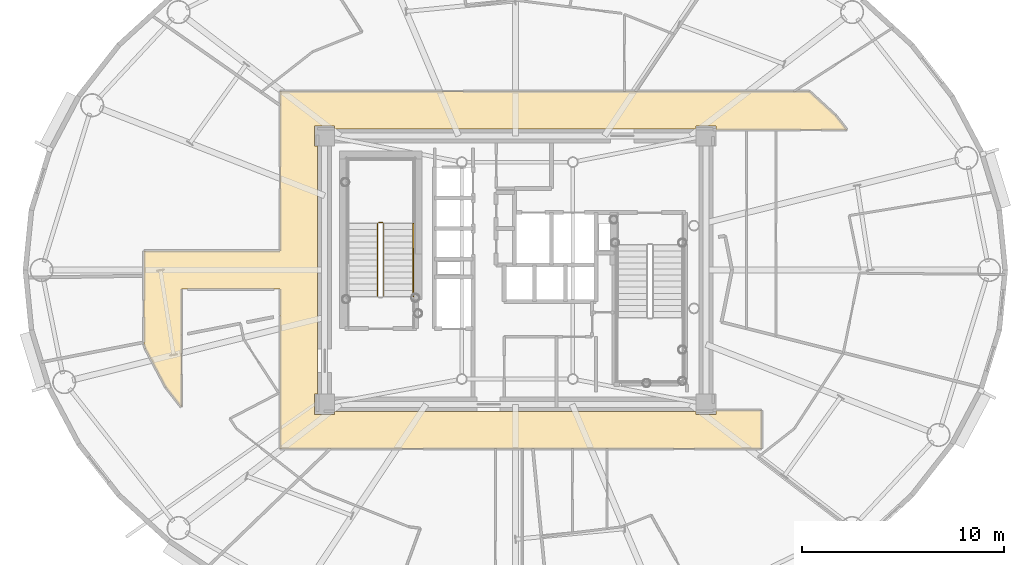
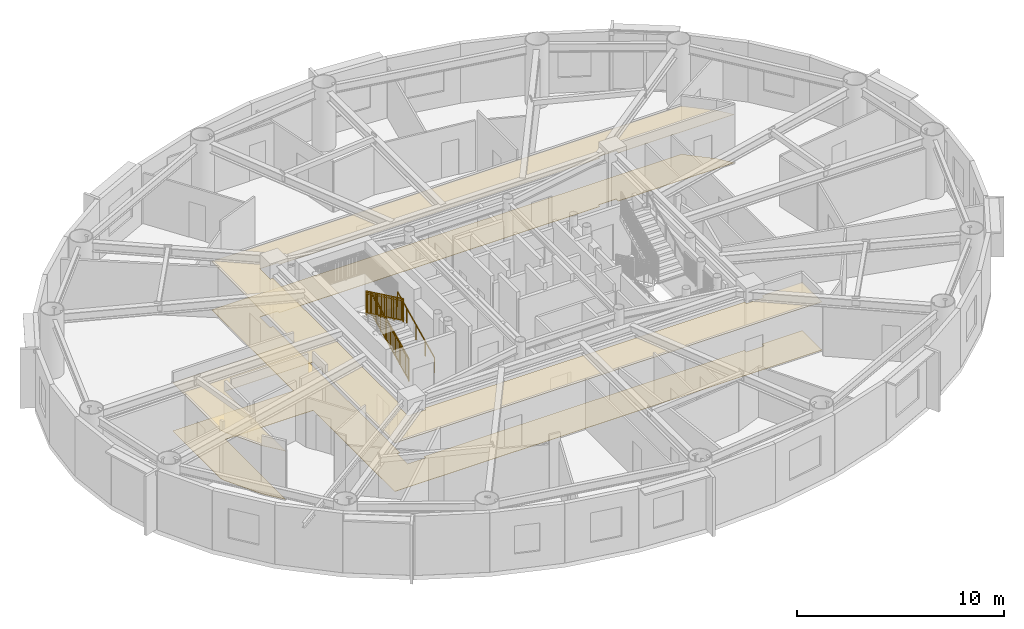
# One storey, part 17 of 21: 4 railings, 2 coverings.
"""IFC4 building model written with IfcOpenShell, lengths in metres."""

import ifcopenshell
import ifcopenshell.guid

model = None  # the IFC model being written
_history = None  # IfcOwnerHistory: only IFC2X3 demands one
_inside = {}  # id of a spatial element -> (the spatial element, [elements in it])
_under = {}  # id of a project, library or spatial element -> (it, [spatial elements below it])
_declared = {}  # id of a project -> (the project, [libraries it declares])
_typed = {}  # id of a type object -> (the type object, [elements of that type])
_made_of = {}  # id of a material, layer set ... -> (it, [elements and type objects made of it])


def new_model(schema):
    """Start an empty IFC model of exactly this schema.

    Asked for "IFC4X3", IfcOpenShell would pick the latest addendum, in which some entities
    have other attributes; the version numbers below select the first issue.
    IFC2X3 requires an IfcOwnerHistory on every rooted entity: one is made here for all.
    """
    global model, _history
    if schema == "IFC4X3":
        model = ifcopenshell.file(schema_version=(4, 3, 0, 0))
    else:
        model = ifcopenshell.file(schema=schema)
    _inside.clear()
    _under.clear()
    _declared.clear()
    _typed.clear()
    _made_of.clear()
    _history = None
    if model.schema == "IFC2X3":
        org = make("IfcOrganization", Name="unknown")
        user = make(
            "IfcPersonAndOrganization",
            ThePerson=make("IfcPerson", FamilyName="unknown"),
            TheOrganization=org,
        )
        app = make(
            "IfcApplication",
            ApplicationDeveloper=org,
            Version="unknown",
            ApplicationFullName="unknown",
            ApplicationIdentifier="unknown",
        )
        _history = make(
            "IfcOwnerHistory",
            OwningUser=user,
            OwningApplication=app,
            ChangeAction="ADDED",
            CreationDate=0,
        )
    return model


def make(cls, **values):
    """One entity of the class cls with the attributes given. An attribute that is None is left unset."""
    return model.create_entity(
        cls, **{name: value for name, value in values.items() if value is not None}
    )


def rooted(cls, **values):
    """An entity with a GlobalId (a new one), such as an element, a storey or a relation."""
    return make(cls, GlobalId=ifcopenshell.guid.new(), OwnerHistory=_history, **values)


def si_unit(unit_type, name, prefix=None):
    """IfcSIUnit, for example si_unit("LENGTHUNIT", "METRE", prefix="MILLI")."""
    return make("IfcSIUnit", UnitType=unit_type, Prefix=prefix, Name=name)


def assignment(units):
    """IfcUnitAssignment: the units of a project."""
    return None if units is None else make("IfcUnitAssignment", Units=units)


def point(xyz):
    """IfcCartesianPoint."""
    return None if xyz is None else make("IfcCartesianPoint", Coordinates=xyz)


def direction(xyz):
    """IfcDirection."""
    return None if xyz is None else make("IfcDirection", DirectionRatios=xyz)


def frame(location, z_axis=None, x_axis=None):
    """IfcAxis2Placement3D, a coordinate frame: its origin and axes. An axis left out is left unset."""
    return make(
        "IfcAxis2Placement3D",
        Location=point(location),
        Axis=direction(z_axis),
        RefDirection=direction(x_axis),
    )


def frame_2d(location, x_axis=None):
    """IfcAxis2Placement2D, a coordinate frame in the plane: its origin and x axis."""
    return make(
        "IfcAxis2Placement2D", Location=point(location), RefDirection=direction(x_axis)
    )


def origin():
    """The frame at (0, 0, 0) with its axes left unset."""
    return frame((0.0, 0.0, 0.0))


def origin_2d():
    """The frame at (0, 0) in the plane with its x axis left unset."""
    return frame_2d((0.0, 0.0))


def place(relative_to, where):
    """IfcLocalPlacement: puts the frame where relative to a parent placement (None: the world)."""
    return make(
        "IfcLocalPlacement", PlacementRelTo=relative_to, RelativePlacement=where
    )


def context(
    kind, dimensions, precision=None, world=None, true_north=None, identifier=None
):
    """IfcGeometricRepresentationContext, for example the 3D "Model" context."""
    return make(
        "IfcGeometricRepresentationContext",
        ContextIdentifier=identifier,
        ContextType=kind,
        CoordinateSpaceDimension=dimensions,
        Precision=precision,
        WorldCoordinateSystem=world,
        TrueNorth=true_north,
    )


def subcontext(parent, identifier, kind, view, scale=None):
    """IfcGeometricRepresentationSubContext, for example "Body" below "Model"."""
    return make(
        "IfcGeometricRepresentationSubContext",
        ContextIdentifier=identifier,
        ContextType=kind,
        ParentContext=parent,
        TargetScale=scale,
        TargetView=view,
    )


def project(units=None, contexts=None):
    """IfcProject with its units and contexts."""
    return rooted(
        "IfcProject",
        Name="project",
        RepresentationContexts=contexts,
        UnitsInContext=assignment(units),
    )


def spatial(cls, under=None, at=None, **own):
    """A site, building, storey or space (cls), placed at a placement, below another one or the project."""
    s = rooted(cls, ObjectPlacement=at, **own)
    if under is not None:
        _under.setdefault(under.id(), (under, []))[1].append(s)
    return s


def polyline(points):
    """IfcPolyline through the points."""
    return make("IfcPolyline", Points=[point(p) for p in points])


def profile(cls, at=None, kind="AREA", **sizes):
    """A parametric profile (cls). Its sizes go by their IFC names, for example OverallWidth=200.0."""
    return make(cls, ProfileType=kind, Position=at, **sizes)


def rectangle(**sizes):
    """IfcRectangleProfileDef."""
    return profile("IfcRectangleProfileDef", **sizes)


def outline(outer, holes=None, kind="AREA"):
    """IfcArbitraryClosedProfileDef: a profile drawn as a closed curve; with holes, ...WithVoids."""
    if holes is None:
        return make("IfcArbitraryClosedProfileDef", ProfileType=kind, OuterCurve=outer)
    return make(
        "IfcArbitraryProfileDefWithVoids",
        ProfileType=kind,
        OuterCurve=outer,
        InnerCurves=holes,
    )


def extrude(swept, where, along, depth):
    """IfcExtrudedAreaSolid: the profile swept, set in the frame where, extruded along a direction by depth."""
    return make(
        "IfcExtrudedAreaSolid",
        SweptArea=swept,
        Position=where,
        ExtrudedDirection=direction(along),
        Depth=depth,
    )


def shape(context_of_items, identifier, shape_type, items):
    """IfcShapeRepresentation: the items that make up one representation, for example the "Body"."""
    return make(
        "IfcShapeRepresentation",
        ContextOfItems=context_of_items,
        RepresentationIdentifier=identifier,
        RepresentationType=shape_type,
        Items=items,
    )


def source(mapping_origin, context_of_items, identifier, shape_type, items):
    """IfcRepresentationMap: a shape defined once, which mapped items show again and again."""
    return make(
        "IfcRepresentationMap",
        MappingOrigin=mapping_origin,
        MappedRepresentation=shape(context_of_items, identifier, shape_type, items),
    )


def transform(
    local_origin,
    x_axis=None,
    y_axis=None,
    z_axis=None,
    scale=None,
    scale2=None,
    scale3=None,
    uniform=True,
):
    """IfcCartesianTransformationOperator3D, or its non-uniform kind. x_axis, y_axis, z_axis: its Axis1, 2, 3."""
    if uniform:
        return make(
            "IfcCartesianTransformationOperator3D",
            Axis1=direction(x_axis),
            Axis2=direction(y_axis),
            LocalOrigin=point(local_origin),
            Scale=scale,
            Axis3=direction(z_axis),
        )
    return make(
        "IfcCartesianTransformationOperator3DnonUniform",
        Axis1=direction(x_axis),
        Axis2=direction(y_axis),
        LocalOrigin=point(local_origin),
        Scale=scale,
        Axis3=direction(z_axis),
        Scale2=scale2,
        Scale3=scale3,
    )


def mapped(mapping_source, mapping_target):
    """IfcMappedItem: shows the shape of a source again, moved by a transform."""
    return make(
        "IfcMappedItem", MappingSource=mapping_source, MappingTarget=mapping_target
    )


def material(Name=None, Category=None):
    """IfcMaterial."""
    return make("IfcMaterial", Name=Name, Category=Category)


def layer(
    of_material, thickness, ventilated=None, Name=None, Category=None, Priority=None
):
    """IfcMaterialLayer: one layer of a wall or slab, of a material (None: an air gap)."""
    return make(
        "IfcMaterialLayer",
        Material=of_material,
        LayerThickness=thickness,
        IsVentilated=ventilated,
        Name=Name,
        Category=Category,
        Priority=Priority,
    )


def layer_set(layers, Name=None):
    """IfcMaterialLayerSet."""
    return make("IfcMaterialLayerSet", MaterialLayers=layers, LayerSetName=Name)


def made_of(thing, what):
    """Note that an element or type object is made of a material, layer set ...; save() writes the relation."""
    if what is not None:
        _made_of.setdefault(what.id(), (what, []))[1].append(thing)
    return thing


def type_object(cls, material=None, **own):
    """A type object (cls), such as IfcWallType, which elements share."""
    return made_of(rooted(cls, **own), material)


def element(
    cls,
    number,
    at=None,
    inside=None,
    cuts=None,
    type_object=None,
    material=None,
    context=None,
    identifier="Body",
    shape_type=None,
    held_by="IfcProductDefinitionShape",
    body=None,
    shapes=None,
    **own,
):
    """One element of the class cls, such as IfcWall. Its Tag is "e" and its number.

    at: its placement. inside: the storey or other place that contains it. cuts: it is an
    opening in that element (IfcRelVoidsElement). A single representation is given by context,
    identifier, shape_type and body (its items); several are given by shapes. held_by: the class
    of the entity that holds the representations. save() writes the other relations.
    """
    e = rooted(cls, Tag="e%d" % number, ObjectPlacement=at, **own)
    if body is not None:
        shapes = [shape(context, identifier, shape_type, body)]
    if shapes is not None:
        e.Representation = make(held_by, Representations=shapes)
    if inside is not None:
        _inside.setdefault(inside.id(), (inside, []))[1].append(e)
    if cuts is not None:
        rooted(
            "IfcRelVoidsElement", RelatingBuildingElement=cuts, RelatedOpeningElement=e
        )
    if type_object is not None:
        _typed.setdefault(type_object.id(), (type_object, []))[1].append(e)
    return made_of(e, material)


def aggregate(whole, parts):
    """IfcRelAggregates: a whole, such as a stair, and the parts it consists of."""
    return rooted("IfcRelAggregates", RelatingObject=whole, RelatedObjects=parts)


def save(model, path):
    """Write the relations noted so far, then the file.

    IfcRelAggregates (storeys below a building ...), IfcRelContainedInSpatialStructure (elements
    in a storey), IfcRelDefinesByType, IfcRelAssociatesMaterial and IfcRelDeclares: one each for
    every whole, place, type object, material and project.
    """
    for whole, parts in _under.values():
        aggregate(whole, parts)
    for where, things in _inside.values():
        rooted(
            "IfcRelContainedInSpatialStructure",
            RelatedElements=things,
            RelatingStructure=where,
        )
    for kind, things in _typed.values():
        rooted("IfcRelDefinesByType", RelatedObjects=things, RelatingType=kind)
    for what, things in _made_of.values():
        rooted("IfcRelAssociatesMaterial", RelatedObjects=things, RelatingMaterial=what)
    for by, libraries in _declared.values():
        rooted("IfcRelDeclares", RelatingContext=by, RelatedDefinitions=libraries)
    model.write(path)


model = new_model("IFC4")

# Units and contexts
model_context = context("Model", 3, precision=1e-05, world=origin(), true_north=direction((0.0, 1.0)))
body_context = subcontext(model_context, "Body", "Model", "MODEL_VIEW")
ifc_project = project(units=[si_unit("LENGTHUNIT", "METRE"), si_unit("AREAUNIT", "SQUARE_METRE"), si_unit("VOLUMEUNIT", "CUBIC_METRE"), si_unit("PLANEANGLEUNIT", "RADIAN"), si_unit("MASSUNIT", "GRAM", prefix="KILO")], contexts=[model_context])

# Site, building, storey
site_placement = place(None, origin())
site = spatial("IfcSite", under=ifc_project, at=site_placement, CompositionType="ELEMENT")
building_placement = place(site_placement, origin())
building = spatial("IfcBuilding", under=site, at=building_placement, Name="Linh Dai School and Residence Tower", CompositionType="ELEMENT")
storey_placement = place(building_placement, frame((0.0, 0.0, 251.550048828125)))
storey = spatial("IfcBuildingStorey", under=building, at=storey_placement, Name="L62", CompositionType="ELEMENT", Elevation=251.550048828125)

# Coverings
ifc_material_1 = material(Name="Mineral Fibre Acoustic Suspended Ceiling", Category="masonry")
ifc_layer_1 = layer(ifc_material_1, 0.02001953125)
ifc_layer_set_1 = layer_set([ifc_layer_1], Name="Mineral Fibre Acoustic Suspended Ceiling")
covering_type_1 = type_object("IfcCoveringType", Name="COV-CEIL-AC-20", PredefinedType="CEILING", material=ifc_layer_set_1)
covering_1_placement = place(storey_placement, frame((0.0, 0.0, 2.849853515625)))
element("IfcCovering", 1, at=covering_1_placement, inside=storey, type_object=covering_type_1, Name="L62 Residential Floor Corridor Suspended Ceiling", PredefinedType="CEILING", context=body_context, shape_type="SweptSolid", body=[
    extrude(outline(polyline([(19.449951171875, 20.211181640625), (18.6806640625, 21.1943359375), (17.66650390625, 23.111083984375), (17.60009765625, 23.327880859375), (17.60009765625, 27.949951171875), (24.35009765625, 27.949951171875), (24.35009765625, 35.85009765625), (50.56787109375, 35.85009765625), (51.873779296875, 34.65283203125), (52.423828125, 33.949951171875), (45.949951171875, 33.949951171875), (45.949951171875, 34.14990234375), (44.949951171875, 34.14990234375), (44.949951171875, 34.0), (27.050048828125, 34.0), (27.050048828125, 34.14990234375), (26.050048828125, 34.14990234375), (26.050048828125, 33.14990234375), (26.199951171875, 33.14990234375), (26.199951171875, 20.85009765625), (26.050048828125, 20.85009765625), (26.050048828125, 19.85009765625), (27.050048828125, 19.85009765625), (27.050048828125, 20.0), (44.949951171875, 20.0), (44.949951171875, 19.85009765625), (45.949951171875, 19.85009765625), (45.949951171875, 20.050048828125), (48.199951171875, 20.050048828125), (48.199951171875, 18.14990234375), (24.35009765625, 18.14990234375), (24.35009765625, 26.050048828125), (19.449951171875, 26.050048828125), (19.449951171875, 20.211181640625)])), origin(), (0.0, 0.0, 1.0), 0.02001953125),
])
ifc_material_2 = material(Name="Polished Terrazzo Floor Finish", Category="masonry")
ifc_layer_2 = layer(ifc_material_2, 0.02490234375)
ifc_layer_set_2 = layer_set([ifc_layer_2], Name="Polished Terrazzo Floor Finish")
covering_type_2 = type_object("IfcCoveringType", Name="COV-FLR-TRZ-25", PredefinedType="FLOORING", material=ifc_layer_set_2)
covering_2_placement = place(storey_placement, origin())
element("IfcCovering", 2, at=covering_2_placement, inside=storey, type_object=covering_type_2, Name="L62 Residential Floor Corridor Floor Finish", PredefinedType="FLOORING", context=body_context, shape_type="SweptSolid", body=[
    extrude(outline(polyline([(19.449951171875, 20.211181640625), (18.6806640625, 21.1943359375), (17.66650390625, 23.111083984375), (17.60009765625, 23.327880859375), (17.60009765625, 27.949951171875), (24.35009765625, 27.949951171875), (24.35009765625, 35.85009765625), (50.56787109375, 35.85009765625), (51.873779296875, 34.65283203125), (52.423828125, 33.949951171875), (45.949951171875, 33.949951171875), (45.949951171875, 34.14990234375), (44.949951171875, 34.14990234375), (44.949951171875, 34.0), (27.050048828125, 34.0), (27.050048828125, 34.14990234375), (26.050048828125, 34.14990234375), (26.050048828125, 33.14990234375), (26.199951171875, 33.14990234375), (26.199951171875, 20.85009765625), (26.050048828125, 20.85009765625), (26.050048828125, 19.85009765625), (27.050048828125, 19.85009765625), (27.050048828125, 20.0), (44.949951171875, 20.0), (44.949951171875, 19.85009765625), (45.949951171875, 19.85009765625), (45.949951171875, 20.050048828125), (48.199951171875, 20.050048828125), (48.199951171875, 18.14990234375), (24.35009765625, 18.14990234375), (24.35009765625, 26.050048828125), (19.449951171875, 26.050048828125), (19.449951171875, 20.211181640625)])), origin(), (0.0, 0.0, 1.0), 0.02001953125),
])

# Railings
ifc_material_3 = material(Name="Structural Steel S355JR", Category="steel")
railing_type_1 = type_object("IfcRailingType", Name="RL-ST-GUARD-1400", PredefinedType="GUARDRAIL", material=ifc_material_3)
shared_shape_1 = source(origin(), body_context, "Body", "SweptSolid", [
    extrude(rectangle(XDim=0.048095703125, YDim=0.048095703125, at=origin_2d()), frame((0.0, 0.0, 1.3759765625), z_axis=(-1.0, 0.0, 0.0), x_axis=(0.0, -1.0, 0.0)), (0.0, 0.0, 1.0), 0.199951171875),
    extrude(rectangle(XDim=0.048095703125, YDim=0.048095703125, at=origin_2d()), frame((0.0, 0.0, 0.10009765625), z_axis=(-1.0, 0.0, 0.0), x_axis=(0.0, -1.0, 0.0)), (0.0, 0.0, 1.0), 0.199951171875),
    extrude(rectangle(XDim=0.030029296875, YDim=0.030029296875, at=origin_2d()), frame((0.0, 0.0, 1.239990234375), z_axis=(-1.0, 0.0, 0.0), x_axis=(0.0, -1.0, 0.0)), (0.0, 0.0, 1.0), 0.199951171875),
    extrude(rectangle(XDim=0.0419921875, YDim=0.0419921875, at=origin_2d()), origin(), (0.0, 0.0, 1.0), 1.3759765625),
    extrude(rectangle(XDim=0.0419921875, YDim=0.0419921875, at=origin_2d()), frame((-0.199951171875, 0.0, 0.0)), (0.0, 0.0, 1.0), 1.3759765625),
])
railing_1_placement = place(storey_placement, frame((29.429931640625, 29.35009765625, 1.875)))
element("IfcRailing", 3, at=railing_1_placement, inside=storey, type_object=railing_type_1, Name="L62 ST1 stair guard 2", PredefinedType="GUARDRAIL", context=body_context, shape_type="MappedRepresentation", body=[
    mapped(shared_shape_1, transform((0.0, 0.0, 0.0), x_axis=(1.0, 0.0, 0.0), y_axis=(0.0, 1.0, 0.0), z_axis=(0.0, 0.0, 1.0), scale=1.0)),
])
shared_shape_2 = source(origin(), body_context, "Body", "SweptSolid", [
    extrude(rectangle(XDim=0.048095703125, YDim=0.048095703125, at=origin_2d()), frame((0.0, 0.0, 1.3759765625), z_axis=(0.0, 0.901262522062, 0.433273431364), x_axis=(-1.0, 0.0, 0.0)), (0.0, 0.0, 1.0), 3.994384765625),
    extrude(rectangle(XDim=0.048095703125, YDim=0.048095703125, at=origin_2d()), frame((0.0, 0.0, 0.10009765625), z_axis=(0.0, 0.901262522062, 0.433273431364), x_axis=(-1.0, 0.0, 0.0)), (0.0, 0.0, 1.0), 3.994384765625),
    extrude(rectangle(XDim=0.030029296875, YDim=0.030029296875, at=origin_2d()), frame((0.0, 0.0, 1.239990234375), z_axis=(0.0, 0.901262522062, 0.433273431364), x_axis=(-1.0, 0.0, 0.0)), (0.0, 0.0, 1.0), 3.994384765625),
    extrude(rectangle(XDim=0.02001953125, YDim=0.02001953125, at=origin_2d()), frame((0.0, 0.087890625, 0.142333984375)), (0.0, 0.0, 1.0), 1.251708984375),
    extrude(rectangle(XDim=0.02001953125, YDim=0.02001953125, at=origin_2d()), frame((0.0, 0.175537109375, 0.1845703125)), (0.0, 0.0, 1.0), 1.251708984375),
    extrude(rectangle(XDim=0.02001953125, YDim=0.02001953125, at=origin_2d()), frame((0.0, 0.263427734375, 0.226806640625)), (0.0, 0.0, 1.0), 1.251708984375),
    extrude(rectangle(XDim=0.02001953125, YDim=0.02001953125, at=origin_2d()), frame((0.0, 0.351318359375, 0.26904296875)), (0.0, 0.0, 1.0), 1.251708984375),
    extrude(rectangle(XDim=0.02001953125, YDim=0.02001953125, at=origin_2d()), frame((0.0, 0.43896484375, 0.311279296875)), (0.0, 0.0, 1.0), 1.251708984375),
    extrude(rectangle(XDim=0.02001953125, YDim=0.02001953125, at=origin_2d()), frame((0.0, 0.52685546875, 0.353271484375)), (0.0, 0.0, 1.0), 1.251708984375),
    extrude(rectangle(XDim=0.02001953125, YDim=0.02001953125, at=origin_2d()), frame((0.0, 0.61474609375, 0.3955078125)), (0.0, 0.0, 1.0), 1.251708984375),
    extrude(rectangle(XDim=0.02001953125, YDim=0.02001953125, at=origin_2d()), frame((0.0, 0.702392578125, 0.437744140625)), (0.0, 0.0, 1.0), 1.251708984375),
    extrude(rectangle(XDim=0.02001953125, YDim=0.02001953125, at=origin_2d()), frame((0.0, 0.790283203125, 0.47998046875)), (0.0, 0.0, 1.0), 1.251708984375),
    extrude(rectangle(XDim=0.02001953125, YDim=0.02001953125, at=origin_2d()), frame((0.0, 0.9658203125, 0.564453125)), (0.0, 0.0, 1.0), 1.251708984375),
    extrude(rectangle(XDim=0.02001953125, YDim=0.02001953125, at=origin_2d()), frame((0.0, 1.0537109375, 0.606689453125)), (0.0, 0.0, 1.0), 1.251708984375),
    extrude(rectangle(XDim=0.02001953125, YDim=0.02001953125, at=origin_2d()), frame((0.0, 1.1416015625, 0.64892578125)), (0.0, 0.0, 1.0), 1.251708984375),
    extrude(rectangle(XDim=0.02001953125, YDim=0.02001953125, at=origin_2d()), frame((0.0, 1.229248046875, 0.691162109375)), (0.0, 0.0, 1.0), 1.251708984375),
    extrude(rectangle(XDim=0.02001953125, YDim=0.02001953125, at=origin_2d()), frame((0.0, 1.317138671875, 0.7333984375)), (0.0, 0.0, 1.0), 1.251708984375),
    extrude(rectangle(XDim=0.02001953125, YDim=0.02001953125, at=origin_2d()), frame((0.0, 1.405029296875, 0.775390625)), (0.0, 0.0, 1.0), 1.251708984375),
    extrude(rectangle(XDim=0.02001953125, YDim=0.02001953125, at=origin_2d()), frame((0.0, 1.49267578125, 0.817626953125)), (0.0, 0.0, 1.0), 1.251708984375),
    extrude(rectangle(XDim=0.02001953125, YDim=0.02001953125, at=origin_2d()), frame((0.0, 1.58056640625, 0.85986328125)), (0.0, 0.0, 1.0), 1.251708984375),
    extrude(rectangle(XDim=0.02001953125, YDim=0.02001953125, at=origin_2d()), frame((0.0, 1.66845703125, 0.902099609375)), (0.0, 0.0, 1.0), 1.251708984375),
    extrude(rectangle(XDim=0.02001953125, YDim=0.02001953125, at=origin_2d()), frame((0.0, 1.756103515625, 0.9443359375)), (0.0, 0.0, 1.0), 1.251708984375),
    extrude(rectangle(XDim=0.02001953125, YDim=0.02001953125, at=origin_2d()), frame((0.0, 1.843994140625, 0.986572265625)), (0.0, 0.0, 1.0), 1.251708984375),
    extrude(rectangle(XDim=0.02001953125, YDim=0.02001953125, at=origin_2d()), frame((0.0, 1.931640625, 1.02880859375)), (0.0, 0.0, 1.0), 1.251708984375),
    extrude(rectangle(XDim=0.02001953125, YDim=0.02001953125, at=origin_2d()), frame((0.0, 2.01953125, 1.071044921875)), (0.0, 0.0, 1.0), 1.251708984375),
    extrude(rectangle(XDim=0.02001953125, YDim=0.02001953125, at=origin_2d()), frame((0.0, 2.107421875, 1.11328125)), (0.0, 0.0, 1.0), 1.251708984375),
    extrude(rectangle(XDim=0.02001953125, YDim=0.02001953125, at=origin_2d()), frame((0.0, 2.195068359375, 1.155517578125)), (0.0, 0.0, 1.0), 1.251708984375),
    extrude(rectangle(XDim=0.02001953125, YDim=0.02001953125, at=origin_2d()), frame((0.0, 2.282958984375, 1.197509765625)), (0.0, 0.0, 1.0), 1.251708984375),
    extrude(rectangle(XDim=0.02001953125, YDim=0.02001953125, at=origin_2d()), frame((0.0, 2.370849609375, 1.23974609375)), (0.0, 0.0, 1.0), 1.251708984375),
    extrude(rectangle(XDim=0.02001953125, YDim=0.02001953125, at=origin_2d()), frame((0.0, 2.45849609375, 1.281982421875)), (0.0, 0.0, 1.0), 1.251708984375),
    extrude(rectangle(XDim=0.02001953125, YDim=0.02001953125, at=origin_2d()), frame((0.0, 2.54638671875, 1.32421875)), (0.0, 0.0, 1.0), 1.251708984375),
    extrude(rectangle(XDim=0.02001953125, YDim=0.02001953125, at=origin_2d()), frame((0.0, 2.63427734375, 1.366455078125)), (0.0, 0.0, 1.0), 1.251708984375),
    extrude(rectangle(XDim=0.02001953125, YDim=0.02001953125, at=origin_2d()), frame((0.0, 2.809814453125, 1.450927734375)), (0.0, 0.0, 1.0), 1.251708984375),
    extrude(rectangle(XDim=0.02001953125, YDim=0.02001953125, at=origin_2d()), frame((0.0, 2.897705078125, 1.4931640625)), (0.0, 0.0, 1.0), 1.251708984375),
    extrude(rectangle(XDim=0.02001953125, YDim=0.02001953125, at=origin_2d()), frame((0.0, 2.9853515625, 1.535400390625)), (0.0, 0.0, 1.0), 1.251708984375),
    extrude(rectangle(XDim=0.02001953125, YDim=0.02001953125, at=origin_2d()), frame((0.0, 3.0732421875, 1.57763671875)), (0.0, 0.0, 1.0), 1.251708984375),
    extrude(rectangle(XDim=0.02001953125, YDim=0.02001953125, at=origin_2d()), frame((0.0, 3.1611328125, 1.61962890625)), (0.0, 0.0, 1.0), 1.251708984375),
    extrude(rectangle(XDim=0.02001953125, YDim=0.02001953125, at=origin_2d()), frame((0.0, 3.248779296875, 1.661865234375)), (0.0, 0.0, 1.0), 1.251708984375),
    extrude(rectangle(XDim=0.02001953125, YDim=0.02001953125, at=origin_2d()), frame((0.0, 3.336669921875, 1.7041015625)), (0.0, 0.0, 1.0), 1.251708984375),
    extrude(rectangle(XDim=0.02001953125, YDim=0.02001953125, at=origin_2d()), frame((0.0, 3.424560546875, 1.746337890625)), (0.0, 0.0, 1.0), 1.251708984375),
    extrude(rectangle(XDim=0.02001953125, YDim=0.02001953125, at=origin_2d()), frame((0.0, 3.51220703125, 1.78857421875)), (0.0, 0.0, 1.0), 1.251708984375),
    extrude(rectangle(XDim=0.0419921875, YDim=0.0419921875, at=origin_2d()), origin(), (0.0, 0.0, 1.0), 1.3759765625),
    extrude(rectangle(XDim=0.0419921875, YDim=0.0419921875, at=origin_2d()), frame((0.0, 0.89990234375, 0.4326171875)), (0.0, 0.0, 1.0), 1.3759765625),
    extrude(rectangle(XDim=0.0419921875, YDim=0.0419921875, at=origin_2d()), frame((0.0, 1.800048828125, 0.865234375)), (0.0, 0.0, 1.0), 1.3759765625),
    extrude(rectangle(XDim=0.0419921875, YDim=0.0419921875, at=origin_2d()), frame((0.0, 2.7001953125, 1.298095703125)), (0.0, 0.0, 1.0), 1.3759765625),
    extrude(rectangle(XDim=0.0419921875, YDim=0.0419921875, at=origin_2d()), frame((0.0, 3.60009765625, 1.730712890625)), (0.0, 0.0, 1.0), 1.3759765625),
])
railing_2_placement = place(storey_placement, frame((29.47998046875, 25.699951171875, 0.144287109375)))
element("IfcRailing", 4, at=railing_2_placement, inside=storey, type_object=railing_type_1, Name="L62 ST1 stair guard 1", PredefinedType="GUARDRAIL", context=body_context, shape_type="MappedRepresentation", body=[
    mapped(shared_shape_2, transform((0.0, 0.0, 0.0), x_axis=(1.0, 0.0, 0.0), y_axis=(0.0, 1.0, 0.0), z_axis=(0.0, 0.0, 1.0), scale=1.0)),
])
shared_shape_3 = source(origin(), body_context, "Body", "SweptSolid", [
    extrude(rectangle(XDim=0.048095703125, YDim=0.048095703125, at=origin_2d()), frame((0.0, 0.0, 1.3759765625), z_axis=(0.0, -0.901262522062, 0.433273431364), x_axis=(1.0, 0.0, 0.0)), (0.0, 0.0, 1.0), 3.994384765625),
    extrude(rectangle(XDim=0.048095703125, YDim=0.048095703125, at=origin_2d()), frame((0.0, 0.0, 0.10009765625), z_axis=(0.0, -0.901262522062, 0.433273431364), x_axis=(1.0, 0.0, 0.0)), (0.0, 0.0, 1.0), 3.994384765625),
    extrude(rectangle(XDim=0.030029296875, YDim=0.030029296875, at=origin_2d()), frame((0.0, 0.0, 1.239990234375), z_axis=(0.0, -0.901262522062, 0.433273431364), x_axis=(1.0, 0.0, 0.0)), (0.0, 0.0, 1.0), 3.994384765625),
    extrude(rectangle(XDim=0.02001953125, YDim=0.02001953125, at=origin_2d()), frame((0.0, -0.087890625, 0.142333984375)), (0.0, 0.0, 1.0), 1.251708984375),
    extrude(rectangle(XDim=0.02001953125, YDim=0.02001953125, at=origin_2d()), frame((0.0, -0.175537109375, 0.1845703125)), (0.0, 0.0, 1.0), 1.251708984375),
    extrude(rectangle(XDim=0.02001953125, YDim=0.02001953125, at=origin_2d()), frame((0.0, -0.263427734375, 0.226806640625)), (0.0, 0.0, 1.0), 1.251708984375),
    extrude(rectangle(XDim=0.02001953125, YDim=0.02001953125, at=origin_2d()), frame((0.0, -0.351318359375, 0.26904296875)), (0.0, 0.0, 1.0), 1.251708984375),
    extrude(rectangle(XDim=0.02001953125, YDim=0.02001953125, at=origin_2d()), frame((0.0, -0.43896484375, 0.311279296875)), (0.0, 0.0, 1.0), 1.251708984375),
    extrude(rectangle(XDim=0.02001953125, YDim=0.02001953125, at=origin_2d()), frame((0.0, -0.52685546875, 0.353271484375)), (0.0, 0.0, 1.0), 1.251708984375),
    extrude(rectangle(XDim=0.02001953125, YDim=0.02001953125, at=origin_2d()), frame((0.0, -0.61474609375, 0.3955078125)), (0.0, 0.0, 1.0), 1.251708984375),
    extrude(rectangle(XDim=0.02001953125, YDim=0.02001953125, at=origin_2d()), frame((0.0, -0.702392578125, 0.437744140625)), (0.0, 0.0, 1.0), 1.251708984375),
    extrude(rectangle(XDim=0.02001953125, YDim=0.02001953125, at=origin_2d()), frame((0.0, -0.790283203125, 0.47998046875)), (0.0, 0.0, 1.0), 1.251708984375),
    extrude(rectangle(XDim=0.02001953125, YDim=0.02001953125, at=origin_2d()), frame((0.0, -0.9658203125, 0.564453125)), (0.0, 0.0, 1.0), 1.251708984375),
    extrude(rectangle(XDim=0.02001953125, YDim=0.02001953125, at=origin_2d()), frame((0.0, -1.0537109375, 0.606689453125)), (0.0, 0.0, 1.0), 1.251708984375),
    extrude(rectangle(XDim=0.02001953125, YDim=0.02001953125, at=origin_2d()), frame((0.0, -1.1416015625, 0.64892578125)), (0.0, 0.0, 1.0), 1.251708984375),
    extrude(rectangle(XDim=0.02001953125, YDim=0.02001953125, at=origin_2d()), frame((0.0, -1.229248046875, 0.691162109375)), (0.0, 0.0, 1.0), 1.251708984375),
    extrude(rectangle(XDim=0.02001953125, YDim=0.02001953125, at=origin_2d()), frame((0.0, -1.317138671875, 0.7333984375)), (0.0, 0.0, 1.0), 1.251708984375),
    extrude(rectangle(XDim=0.02001953125, YDim=0.02001953125, at=origin_2d()), frame((0.0, -1.405029296875, 0.775390625)), (0.0, 0.0, 1.0), 1.251708984375),
    extrude(rectangle(XDim=0.02001953125, YDim=0.02001953125, at=origin_2d()), frame((0.0, -1.49267578125, 0.817626953125)), (0.0, 0.0, 1.0), 1.251708984375),
    extrude(rectangle(XDim=0.02001953125, YDim=0.02001953125, at=origin_2d()), frame((0.0, -1.58056640625, 0.85986328125)), (0.0, 0.0, 1.0), 1.251708984375),
    extrude(rectangle(XDim=0.02001953125, YDim=0.02001953125, at=origin_2d()), frame((0.0, -1.66845703125, 0.902099609375)), (0.0, 0.0, 1.0), 1.251708984375),
    extrude(rectangle(XDim=0.02001953125, YDim=0.02001953125, at=origin_2d()), frame((0.0, -1.756103515625, 0.9443359375)), (0.0, 0.0, 1.0), 1.251708984375),
    extrude(rectangle(XDim=0.02001953125, YDim=0.02001953125, at=origin_2d()), frame((0.0, -1.843994140625, 0.986572265625)), (0.0, 0.0, 1.0), 1.251708984375),
    extrude(rectangle(XDim=0.02001953125, YDim=0.02001953125, at=origin_2d()), frame((0.0, -1.931640625, 1.02880859375)), (0.0, 0.0, 1.0), 1.251708984375),
    extrude(rectangle(XDim=0.02001953125, YDim=0.02001953125, at=origin_2d()), frame((0.0, -2.01953125, 1.071044921875)), (0.0, 0.0, 1.0), 1.251708984375),
    extrude(rectangle(XDim=0.02001953125, YDim=0.02001953125, at=origin_2d()), frame((0.0, -2.107421875, 1.11328125)), (0.0, 0.0, 1.0), 1.251708984375),
    extrude(rectangle(XDim=0.02001953125, YDim=0.02001953125, at=origin_2d()), frame((0.0, -2.195068359375, 1.155517578125)), (0.0, 0.0, 1.0), 1.251708984375),
    extrude(rectangle(XDim=0.02001953125, YDim=0.02001953125, at=origin_2d()), frame((0.0, -2.282958984375, 1.197509765625)), (0.0, 0.0, 1.0), 1.251708984375),
    extrude(rectangle(XDim=0.02001953125, YDim=0.02001953125, at=origin_2d()), frame((0.0, -2.370849609375, 1.23974609375)), (0.0, 0.0, 1.0), 1.251708984375),
    extrude(rectangle(XDim=0.02001953125, YDim=0.02001953125, at=origin_2d()), frame((0.0, -2.45849609375, 1.281982421875)), (0.0, 0.0, 1.0), 1.251708984375),
    extrude(rectangle(XDim=0.02001953125, YDim=0.02001953125, at=origin_2d()), frame((0.0, -2.54638671875, 1.32421875)), (0.0, 0.0, 1.0), 1.251708984375),
    extrude(rectangle(XDim=0.02001953125, YDim=0.02001953125, at=origin_2d()), frame((0.0, -2.63427734375, 1.366455078125)), (0.0, 0.0, 1.0), 1.251708984375),
    extrude(rectangle(XDim=0.02001953125, YDim=0.02001953125, at=origin_2d()), frame((0.0, -2.809814453125, 1.450927734375)), (0.0, 0.0, 1.0), 1.251708984375),
    extrude(rectangle(XDim=0.02001953125, YDim=0.02001953125, at=origin_2d()), frame((0.0, -2.897705078125, 1.4931640625)), (0.0, 0.0, 1.0), 1.251708984375),
    extrude(rectangle(XDim=0.02001953125, YDim=0.02001953125, at=origin_2d()), frame((0.0, -2.9853515625, 1.535400390625)), (0.0, 0.0, 1.0), 1.251708984375),
    extrude(rectangle(XDim=0.02001953125, YDim=0.02001953125, at=origin_2d()), frame((0.0, -3.0732421875, 1.57763671875)), (0.0, 0.0, 1.0), 1.251708984375),
    extrude(rectangle(XDim=0.02001953125, YDim=0.02001953125, at=origin_2d()), frame((0.0, -3.1611328125, 1.61962890625)), (0.0, 0.0, 1.0), 1.251708984375),
    extrude(rectangle(XDim=0.02001953125, YDim=0.02001953125, at=origin_2d()), frame((0.0, -3.248779296875, 1.661865234375)), (0.0, 0.0, 1.0), 1.251708984375),
    extrude(rectangle(XDim=0.02001953125, YDim=0.02001953125, at=origin_2d()), frame((0.0, -3.336669921875, 1.7041015625)), (0.0, 0.0, 1.0), 1.251708984375),
    extrude(rectangle(XDim=0.02001953125, YDim=0.02001953125, at=origin_2d()), frame((0.0, -3.424560546875, 1.746337890625)), (0.0, 0.0, 1.0), 1.251708984375),
    extrude(rectangle(XDim=0.02001953125, YDim=0.02001953125, at=origin_2d()), frame((0.0, -3.51220703125, 1.78857421875)), (0.0, 0.0, 1.0), 1.251708984375),
    extrude(rectangle(XDim=0.0419921875, YDim=0.0419921875, at=origin_2d()), origin(), (0.0, 0.0, 1.0), 1.3759765625),
    extrude(rectangle(XDim=0.0419921875, YDim=0.0419921875, at=origin_2d()), frame((0.0, -0.89990234375, 0.4326171875)), (0.0, 0.0, 1.0), 1.3759765625),
    extrude(rectangle(XDim=0.0419921875, YDim=0.0419921875, at=origin_2d()), frame((0.0, -1.800048828125, 0.865234375)), (0.0, 0.0, 1.0), 1.3759765625),
    extrude(rectangle(XDim=0.0419921875, YDim=0.0419921875, at=origin_2d()), frame((0.0, -2.7001953125, 1.298095703125)), (0.0, 0.0, 1.0), 1.3759765625),
    extrude(rectangle(XDim=0.0419921875, YDim=0.0419921875, at=origin_2d()), frame((0.0, -3.60009765625, 1.730712890625)), (0.0, 0.0, 1.0), 1.3759765625),
])
railing_3_placement = place(storey_placement, frame((29.179931640625, 29.300048828125, 2.019287109375)))
element("IfcRailing", 5, at=railing_3_placement, inside=storey, type_object=railing_type_1, Name="L62 ST1 stair guard 6", PredefinedType="GUARDRAIL", context=body_context, shape_type="MappedRepresentation", body=[
    mapped(shared_shape_3, transform((0.0, 0.0, 0.0), x_axis=(1.0, 0.0, 0.0), y_axis=(0.0, 1.0, 0.0), z_axis=(0.0, 0.0, 1.0), scale=1.0)),
])
ifc_material_4 = material(Name="Brushed Stainless Steel Handrail", Category="steel")
railing_type_2 = type_object("IfcRailingType", Name="RL-ST-HANDRAIL-900", PredefinedType="HANDRAIL", material=ifc_material_4)
shared_shape_4 = source(origin(), body_context, "Body", "SweptSolid", [
    extrude(rectangle(XDim=0.048095703125, YDim=0.048095703125, at=origin_2d()), frame((0.0, 0.0, 0.8759765625), z_axis=(0.0, 0.901262522062, 0.433273431364), x_axis=(-1.0, 0.0, 0.0)), (0.0, 0.0, 1.0), 3.994384765625),
    extrude(rectangle(XDim=0.0419921875, YDim=0.0419921875, at=origin_2d()), origin(), (0.0, 0.0, 1.0), 0.8759765625),
    extrude(rectangle(XDim=0.0419921875, YDim=0.0419921875, at=origin_2d()), frame((0.0, 0.89990234375, 0.4326171875)), (0.0, 0.0, 1.0), 0.8759765625),
    extrude(rectangle(XDim=0.0419921875, YDim=0.0419921875, at=origin_2d()), frame((0.0, 1.800048828125, 0.865234375)), (0.0, 0.0, 1.0), 0.8759765625),
    extrude(rectangle(XDim=0.0419921875, YDim=0.0419921875, at=origin_2d()), frame((0.0, 2.7001953125, 1.298095703125)), (0.0, 0.0, 1.0), 0.8759765625),
    extrude(rectangle(XDim=0.0419921875, YDim=0.0419921875, at=origin_2d()), frame((0.0, 3.60009765625, 1.730712890625)), (0.0, 0.0, 1.0), 0.8759765625),
])
railing_4_placement = place(storey_placement, frame((30.929931640625, 25.699951171875, 0.144287109375)))
element("IfcRailing", 6, at=railing_4_placement, inside=storey, type_object=railing_type_2, Name="L62 ST1 stair handrail 1", PredefinedType="HANDRAIL", context=body_context, shape_type="MappedRepresentation", body=[
    mapped(shared_shape_4, transform((0.0, 0.0, 0.0), x_axis=(1.0, 0.0, 0.0), y_axis=(0.0, 1.0, 0.0), z_axis=(0.0, 0.0, 1.0), scale=1.0)),
])

save(model, "model.ifc")
